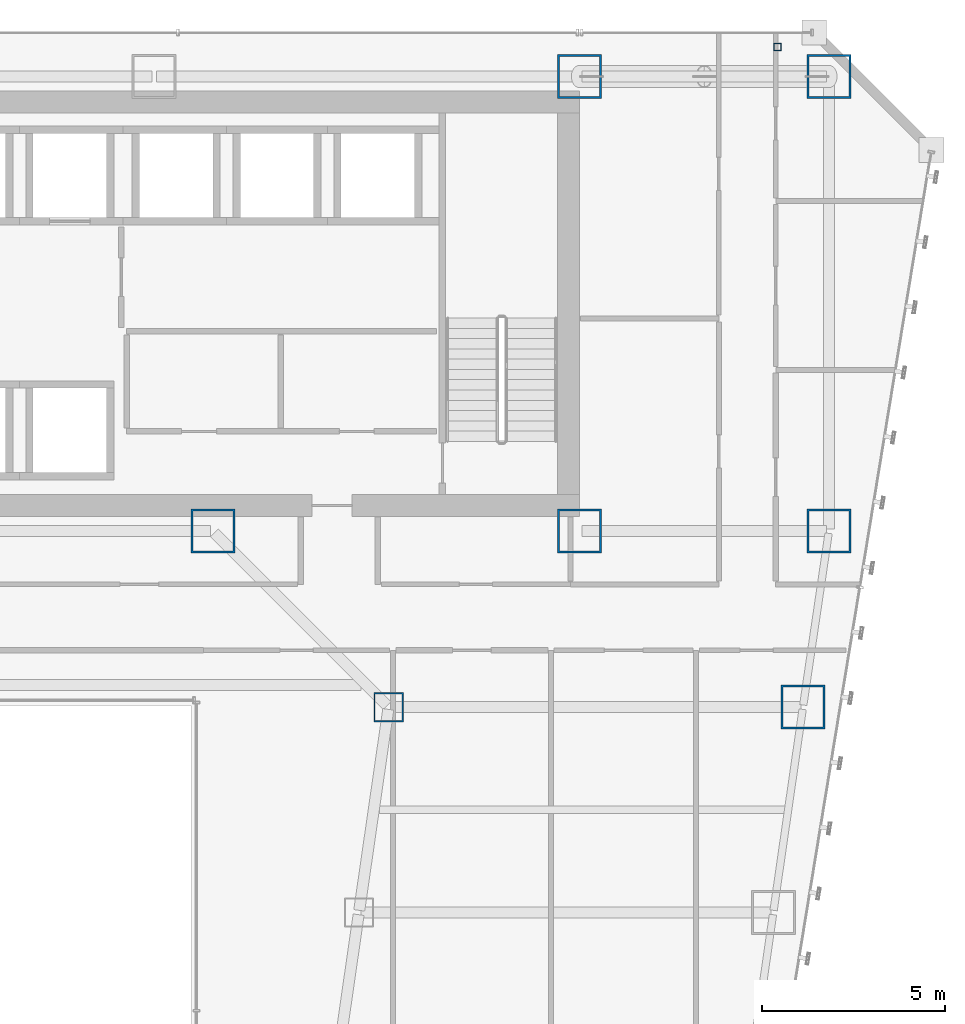
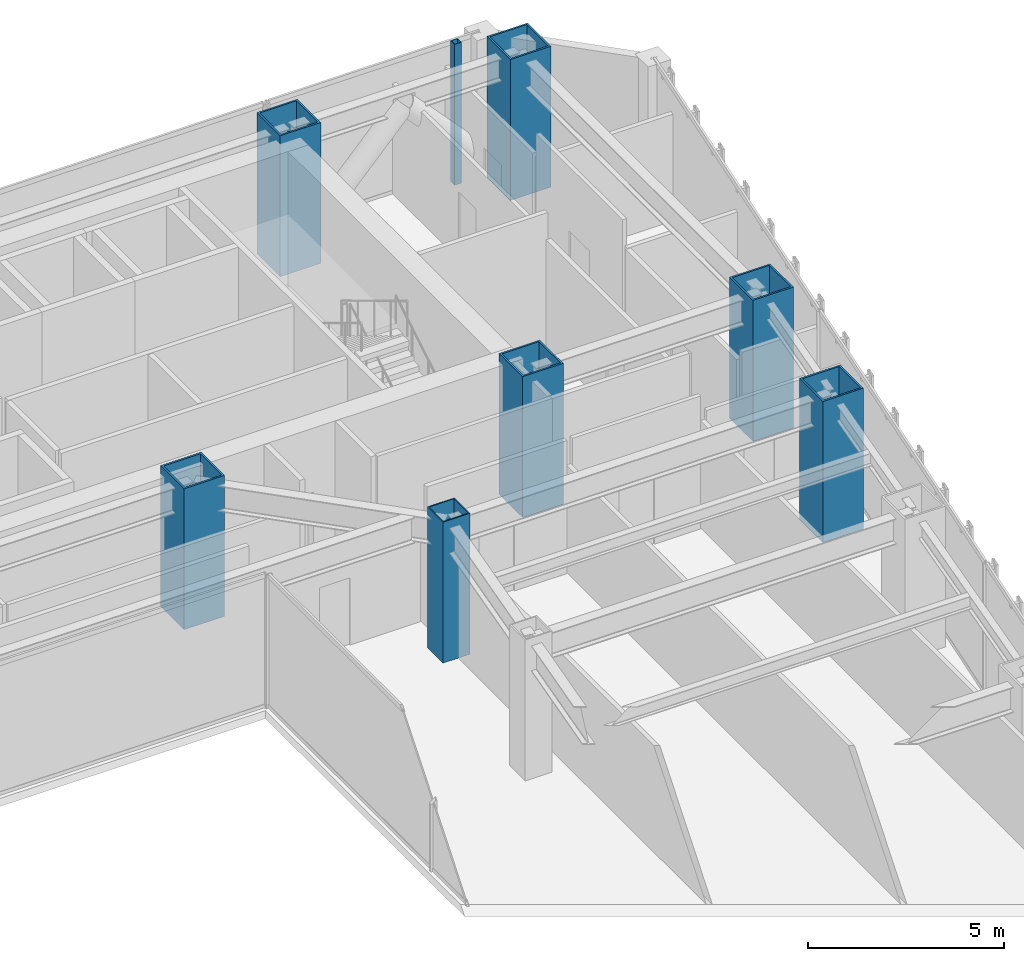
# One storey, part 3 of 47: 8 columns.
"""IFC4 building model written with IfcOpenShell, lengths in metres."""

from ifc_helpers import new_model, si_unit, direction, frame, origin, origin_2d, place, context, subcontext, project, spatial, hollow_rectangle, extrude, material, material_profile, profile_set, type_object, element, save


model = new_model("IFC4")

# Units and contexts
model_context = context("Model", 3, precision=1e-05, world=origin(), true_north=direction((0.0, 1.0)))
body_context = subcontext(model_context, "Body", "Model", "MODEL_VIEW")
ifc_project = project(units=[si_unit("LENGTHUNIT", "METRE"), si_unit("AREAUNIT", "SQUARE_METRE"), si_unit("VOLUMEUNIT", "CUBIC_METRE"), si_unit("PLANEANGLEUNIT", "RADIAN"), si_unit("MASSUNIT", "GRAM", prefix="KILO")], contexts=[model_context])

# Site, building, storey
site_placement = place(None, origin())
site = spatial("IfcSite", under=ifc_project, at=site_placement, CompositionType="ELEMENT")
building_placement = place(site_placement, origin())
building = spatial("IfcBuilding", under=site, at=building_placement, Name="Saevonmaru Cultural Tower", CompositionType="ELEMENT")
storey_placement = place(building_placement, frame((0.0, 0.0, 92.800048828125)))
storey = spatial("IfcBuildingStorey", under=building, at=storey_placement, Name="L19", CompositionType="ELEMENT", Elevation=92.800048828125)

# Columns
ifc_material_1 = material(Name="Steel HSA600 (600 MPa)", Category="steel")
ifc_material_profile_1 = material_profile(ifc_material_1, hollow_rectangle(XDim=1.199951171875, YDim=1.199951171875, WallThickness=0.054931640625, at=origin_2d()), Name="BOX-1200x1200x55")
ifc_profile_set_1 = profile_set([ifc_material_profile_1], Name="Steel HSA600 (600 MPa)")
column_type_1 = type_object("IfcColumnType", Name="COL-BOX-1200", PredefinedType="COLUMN", material=ifc_profile_set_1)
for number, where, z_axis, x_axis, name in (
    (1, (46.39990234375, 54.800048828125, 0.0), (0.0, 0.0, 1.0), (1.0, 0.0, 0.0), "L19 Column TC-N5N"),
    (2, (53.199951171875, 54.800048828125, 0.0), (0.0, 0.0, 1.0), (1.0, 0.0, 0.0), "L19 Column TC-N6N"),
    (3, (36.39990234375, 42.39990234375, 0.0), (0.0, 0.0, 1.0), (1.0, 0.0, 0.0), "L19 Column TC-S4C"),
    (4, (46.39990234375, 42.39990234375, 0.0), (0.0, 0.0, 1.0), (1.0, 0.0, 0.0), "L19 Column TC-S5C"),
    (5, (53.199951171875, 42.39990234375, 0.0), (0.0, 0.0, 1.0), (1.0, 0.0, 0.0), "L19 Column TC-S6C"),
    (6, (52.491943359375, 37.60009765625, 0.0), (0.0, 0.0, 1.0), (1.0, 0.0, 0.0), "L19 Column TC-EO-Y376"),
):
    element("IfcColumn", number, at=place(storey_placement, frame(where, z_axis=z_axis, x_axis=x_axis)), inside=storey, type_object=column_type_1, Name=name, PredefinedType="COLUMN", context=body_context, shape_type="SweptSolid", body=[
        extrude(hollow_rectangle(XDim=1.199951171875, YDim=1.199951171875, WallThickness=0.054931640625, at=origin_2d()), origin(), (0.0, 0.0, 1.0), 4.39990234375),
    ])
ifc_material_2 = material(Name="Steel SM420", Category="steel")
ifc_material_profile_2 = material_profile(ifc_material_2, hollow_rectangle(XDim=0.800048828125, YDim=0.800048828125, WallThickness=0.035888671875, at=origin_2d()), Name="BOX-800x800x36")
ifc_profile_set_2 = profile_set([ifc_material_profile_2], Name="Steel SM420")
column_type_2 = type_object("IfcColumnType", Name="COL-BOX-800", PredefinedType="COLUMN", material=ifc_profile_set_2)
column_1_placement = place(storey_placement, frame((41.19189453125, 37.60009765625, 0.0), z_axis=(0.0, 0.0, 1.0), x_axis=(1.0, 0.0, 0.0)))
element("IfcColumn", 7, at=column_1_placement, inside=storey, type_object=column_type_2, Name="L19 Column TC-EI-Y376", PredefinedType="COLUMN", context=body_context, shape_type="SweptSolid", body=[
    extrude(hollow_rectangle(XDim=0.800048828125, YDim=0.800048828125, WallThickness=0.035888671875, at=origin_2d()), origin(), (0.0, 0.0, 1.0), 4.39990234375),
])
ifc_material_3 = material(Name="Steel SM355", Category="steel")
ifc_material_profile_3 = material_profile(ifc_material_3, hollow_rectangle(XDim=0.199951171875, YDim=0.199951171875, WallThickness=0.010009765625, at=origin_2d()), Name="SHS-200x200x10")
ifc_profile_set_3 = profile_set([ifc_material_profile_3], Name="Steel SM355")
column_type_3 = type_object("IfcColumnType", Name="PIL-SHS-200", PredefinedType="PILASTER", material=ifc_profile_set_3)
column_2_placement = place(storey_placement, frame((51.800048828125, 55.60009765625, 0.0), z_axis=(0.0, 0.0, 1.0), x_axis=(1.0, 0.0, 0.0)))
element("IfcColumn", 8, at=column_2_placement, inside=storey, type_object=column_type_3, Name="L19 Art Deco Bronze-Clad Pilaster PIL-NE", PredefinedType="PILASTER", context=body_context, shape_type="SweptSolid", body=[
    extrude(hollow_rectangle(XDim=0.199951171875, YDim=0.199951171875, WallThickness=0.010009765625, at=origin_2d()), origin(), (0.0, 0.0, 1.0), 4.39990234375),
])

save(model, "model.ifc")
